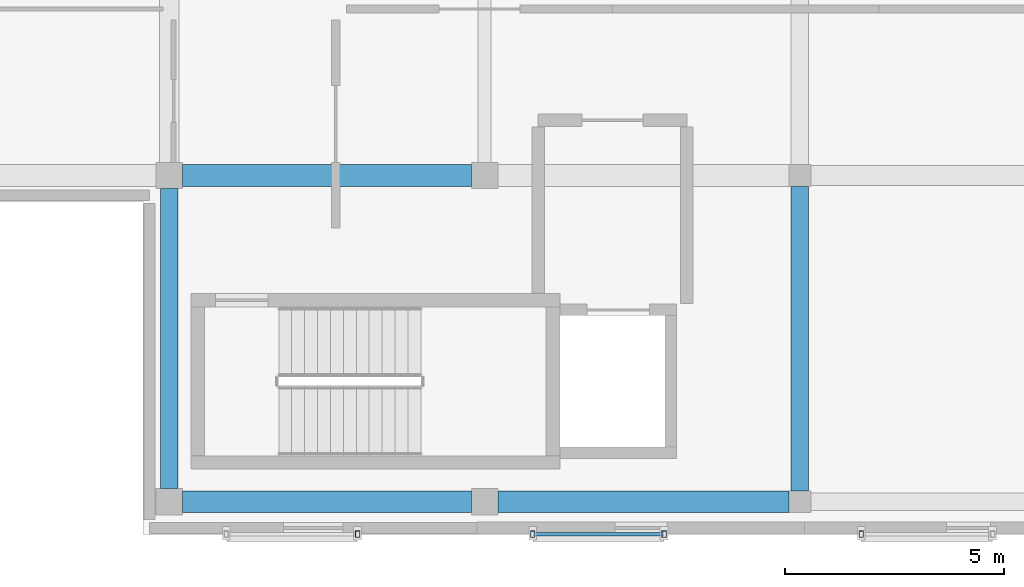
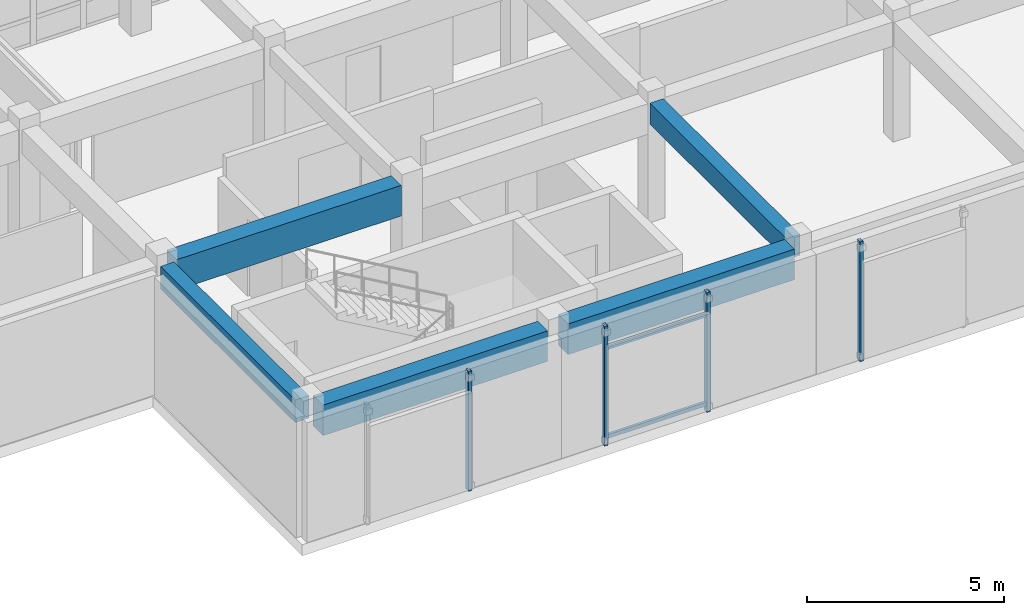
# One storey, part 18 of 91: 6 members, 5 beams.
"""IFC4 building model written with IfcOpenShell, lengths in metres."""

from ifc_helpers import new_model, si_unit, direction, frame, origin, origin_2d, place, context, subcontext, project, spatial, rectangle, hollow_rectangle, extrude, material, material_profile, profile_set, type_object, element, save


model = new_model("IFC4")

# Units and contexts
model_context = context("Model", 3, precision=1e-05, world=origin(), true_north=direction((0.0, 1.0)))
body_context = subcontext(model_context, "Body", "Model", "MODEL_VIEW")
ifc_project = project(units=[si_unit("LENGTHUNIT", "METRE"), si_unit("AREAUNIT", "SQUARE_METRE"), si_unit("VOLUMEUNIT", "CUBIC_METRE"), si_unit("PLANEANGLEUNIT", "RADIAN"), si_unit("MASSUNIT", "GRAM", prefix="KILO")], contexts=[model_context])

# Site, building, storey
site_placement = place(None, origin())
site = spatial("IfcSite", under=ifc_project, at=site_placement, CompositionType="ELEMENT")
building_placement = place(site_placement, origin())
building = spatial("IfcBuilding", under=site, at=building_placement, Name="Valcora Specialist Clinic", CompositionType="ELEMENT")
storey_placement = place(building_placement, frame((0.0, 0.0, 13.60009765625)))
storey = spatial("IfcBuildingStorey", under=building, at=storey_placement, Name="L03", CompositionType="ELEMENT", Elevation=13.60009765625)

# Beams
ifc_material_1 = material(Name="Concrete C40/50", Category="concrete")
ifc_material_profile_1 = material_profile(ifc_material_1, rectangle(XDim=0.39990234375, YDim=0.64990234375, at=origin_2d()), Name="RC-BM-400X650")
ifc_profile_set_1 = profile_set([ifc_material_profile_1], Name="Concrete C40/50")
beam_type_1 = type_object("IfcBeamType", Name="TY-BM-RC400X650", PredefinedType="BEAM", material=ifc_profile_set_1)
beam_1_placement = place(storey_placement, frame((30.60009765625, 1.0, 3.39501953125), z_axis=(0.0, 1.0, 0.0), x_axis=(-1.0, 0.0, 0.0)))
element("IfcBeam", 1, at=beam_1_placement, inside=storey, type_object=beam_type_1, Name="Beam BM-L03-1063", PredefinedType="BEAM", context=body_context, shape_type="SweptSolid", body=[
    extrude(rectangle(XDim=0.39990234375, YDim=0.64990234375, at=origin_2d()), origin(), (0.0, 0.0, 1.0), 6.949951171875),
])
ifc_material_profile_2 = material_profile(ifc_material_1, rectangle(XDim=0.39990234375, YDim=0.699951171875, at=origin_2d()), Name="RC-BM-400X700")
ifc_profile_set_2 = profile_set([ifc_material_profile_2], Name="Concrete C40/50")
beam_type_2 = type_object("IfcBeamType", Name="TY-BM-RC400X700", PredefinedType="BEAM", material=ifc_profile_set_2)
beam_2_placement = place(storey_placement, frame((16.199951171875, 1.050048828125, 3.369873046875), z_axis=(0.0, 1.0, 0.0), x_axis=(-1.0, 0.0, 0.0)))
element("IfcBeam", 2, at=beam_2_placement, inside=storey, type_object=beam_type_2, Name="Beam BM-L03-1058", PredefinedType="BEAM", context=body_context, shape_type="SweptSolid", body=[
    extrude(rectangle(XDim=0.39990234375, YDim=0.699951171875, at=origin_2d()), origin(), (0.0, 0.0, 1.0), 6.849853515625),
])
ifc_material_profile_3 = material_profile(ifc_material_1, rectangle(XDim=0.5, YDim=0.949951171875, at=origin_2d()), Name="RC-BM-500X950")
ifc_profile_set_3 = profile_set([ifc_material_profile_3], Name="Concrete C40/50")
beam_type_3 = type_object("IfcBeamType", Name="TY-BM-TR500X950", PredefinedType="BEAM", material=ifc_profile_set_3)
beam_3_placement = place(storey_placement, frame((16.5, 0.75, 3.244873046875), z_axis=(1.0, 0.0, 0.0), x_axis=(0.0, 1.0, 0.0)))
element("IfcBeam", 3, at=beam_3_placement, inside=storey, type_object=beam_type_3, Name="Beam BM-L03-1028", PredefinedType="BEAM", context=body_context, shape_type="SweptSolid", body=[
    extrude(rectangle(XDim=0.5, YDim=0.949951171875, at=origin_2d()), origin(), (0.0, 0.0, 1.0), 6.60009765625),
])
beam_4_placement = place(storey_placement, frame((23.699951171875, 0.75, 3.244873046875), z_axis=(1.0, 0.0, 0.0), x_axis=(0.0, 1.0, 0.0)))
element("IfcBeam", 4, at=beam_4_placement, inside=storey, type_object=beam_type_3, Name="Beam BM-L03-1029", PredefinedType="BEAM", context=body_context, shape_type="SweptSolid", body=[
    extrude(rectangle(XDim=0.5, YDim=0.949951171875, at=origin_2d()), origin(), (0.0, 0.0, 1.0), 6.650146484375),
])
beam_5_placement = place(storey_placement, frame((16.5, 8.199951171875, 3.244873046875), z_axis=(1.0, 0.0, 0.0), x_axis=(0.0, 1.0, 0.0)))
element("IfcBeam", 5, at=beam_5_placement, inside=storey, type_object=beam_type_3, Name="Beam BM-L03-1035", PredefinedType="BEAM", context=body_context, shape_type="SweptSolid", body=[
    extrude(rectangle(XDim=0.5, YDim=0.949951171875, at=origin_2d()), origin(), (0.0, 0.0, 1.0), 6.60009765625),
])

# Members
ifc_material_2 = material(Name="Steel ASTM A500 Grade C", Category="steel")
ifc_material_profile_4 = material_profile(ifc_material_2, hollow_rectangle(XDim=0.10009765625, YDim=0.14990234375, WallThickness=0.006103515625, at=origin_2d()), Name="ST-RHS-150X100X6")
ifc_profile_set_4 = profile_set([ifc_material_profile_4], Name="Steel ASTM A500 Grade C")
member_type_1 = type_object("IfcMemberType", Name="TY-MB-SFPOST", PredefinedType="POST", material=ifc_profile_set_4)
for number, where, z_axis, x_axis, name in (
    (6, (20.5, 0.010009765625, 0.0), (0.0, 0.0, 1.0), (1.0, 0.0, 0.0), "Brick screen carrier post 122"),
    (7, (24.5, 0.010009765625, 0.0), (0.0, 0.0, 1.0), (1.0, 0.0, 0.0), "Brick screen carrier post 125"),
    (8, (27.5, 0.010009765625, 0.0), (0.0, 0.0, 1.0), (1.0, 0.0, 0.0), "Brick screen carrier post 126"),
    (9, (32.0, 0.010009765625, 0.0), (0.0, 0.0, 1.0), (1.0, 0.0, 0.0), "Brick screen carrier post 129"),
):
    element("IfcMember", number, at=place(storey_placement, frame(where, z_axis=z_axis, x_axis=x_axis)), inside=storey, type_object=member_type_1, Name=name, PredefinedType="POST", context=body_context, shape_type="SweptSolid", body=[
        extrude(hollow_rectangle(XDim=0.10009765625, YDim=0.14990234375, WallThickness=0.006103515625, at=origin_2d()), origin(), (0.0, 0.0, 1.0), 3.719970703125),
    ])
ifc_material_profile_5 = material_profile(ifc_material_2, hollow_rectangle(XDim=0.080078125, YDim=0.1201171875, WallThickness=0.0048828125, at=origin_2d()), Name="ST-RHS-120X80X5")
ifc_profile_set_5 = profile_set([ifc_material_profile_5], Name="Steel ASTM A500 Grade C")
member_type_2 = type_object("IfcMemberType", Name="TY-MB-SFRAIL", PredefinedType="STRINGER", material=ifc_profile_set_5)
for number, where, z_axis, x_axis, name in (
    (10, (24.5, 0.010009765625, 0.239990234375), (1.0, 0.0, 0.0), (0.0, 1.0, 0.0), "Brick screen carrier rail 127"),
    (11, (24.5, 0.010009765625, 3.0), (1.0, 0.0, 0.0), (0.0, 1.0, 0.0), "Brick screen carrier rail 128"),
):
    element("IfcMember", number, at=place(storey_placement, frame(where, z_axis=z_axis, x_axis=x_axis)), inside=storey, type_object=member_type_2, Name=name, PredefinedType="STRINGER", context=body_context, shape_type="SweptSolid", body=[
        extrude(hollow_rectangle(XDim=0.080078125, YDim=0.1201171875, WallThickness=0.0048828125, at=origin_2d()), origin(), (0.0, 0.0, 1.0), 3.0),
    ])

save(model, "model.ifc")
